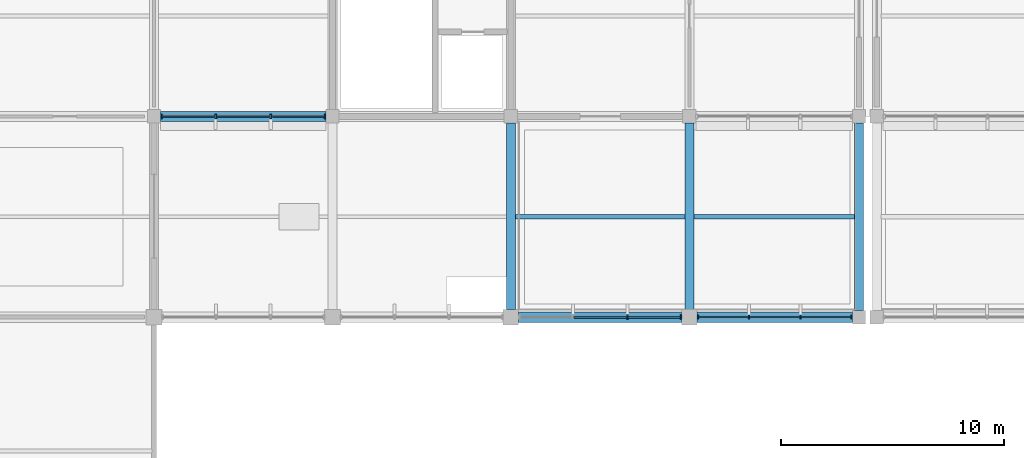
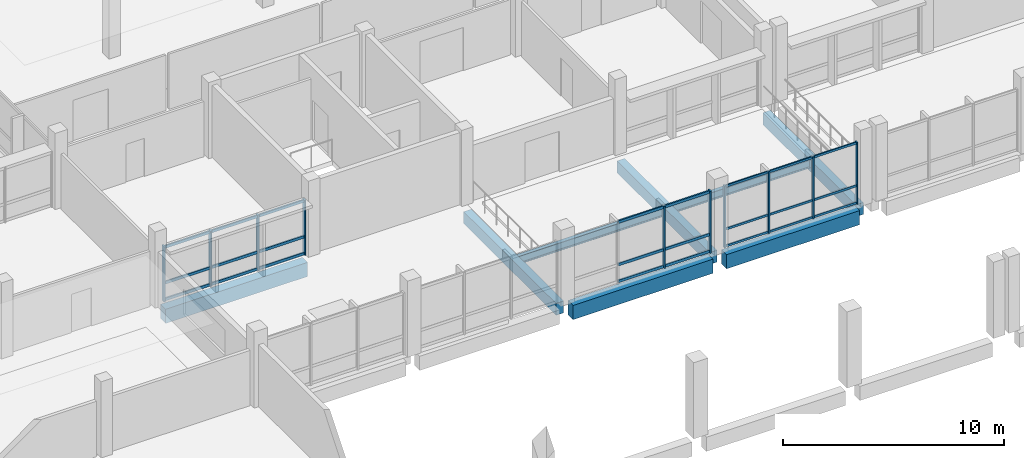
# One storey, part 20 of 70: 34 members, 8 beams, 3 elements without a shape of their own.
"""IFC4 building model written with IfcOpenShell, lengths in metres."""

from ifc_helpers import new_model, si_unit, direction, frame, origin, origin_2d, place, context, subcontext, project, spatial, rectangle, i_section, extrude, material, material_profile, profile_set, type_object, element, aggregate, save


model = new_model("IFC4")

# Units and contexts
model_context = context("Model", 3, precision=1e-05, world=origin(), true_north=direction((0.0, 1.0)))
body_context = subcontext(model_context, "Body", "Model", "MODEL_VIEW")
ifc_project = project(units=[si_unit("LENGTHUNIT", "METRE"), si_unit("AREAUNIT", "SQUARE_METRE"), si_unit("VOLUMEUNIT", "CUBIC_METRE"), si_unit("PLANEANGLEUNIT", "RADIAN"), si_unit("MASSUNIT", "GRAM", prefix="KILO"), si_unit("THERMODYNAMICTEMPERATUREUNIT", "KELVIN"), si_unit("POWERUNIT", "WATT")], contexts=[model_context])

# Site, building, storey
site_placement = place(None, origin())
site = spatial("IfcSite", under=ifc_project, at=site_placement, CompositionType="ELEMENT")
building_placement = place(site_placement, origin())
building = spatial("IfcBuilding", under=site, at=building_placement, Name="Kronsvod Quay Wholesale Market", CompositionType="ELEMENT")
storey_placement = place(building_placement, frame((0.0, 0.0, 9.0)))
storey = spatial("IfcBuildingStorey", under=building, at=storey_placement, Name="L02", CompositionType="ELEMENT", Elevation=9.0)

# Beams
ifc_material_1 = material(Name="Precast concrete C40/50", Category="concrete")
ifc_material_profile_1 = material_profile(ifc_material_1, rectangle(XDim=0.39990234375, YDim=0.64990234375, at=origin_2d()), Name="PCB400x650")
ifc_profile_set_1 = profile_set([ifc_material_profile_1], Name="Precast concrete C40/50")
beam_type_1 = type_object("IfcBeamType", Name="Beam_PCB400x650", PredefinedType="BEAM", material=ifc_profile_set_1)
for number, where, z_axis, x_axis, name in (
    (1, (48.0, 90.35009765625, -0.635009765625), (0.0, 1.0, 0.0), (-1.0, 0.0, 0.0), "BMY-L02-480-900"),
    (2, (56.0, 90.35009765625, -0.635009765625), (0.0, 1.0, 0.0), (-1.0, 0.0, 0.0), "BMY-L02-560-900"),
):
    element("IfcBeam", number, at=place(storey_placement, frame(where, z_axis=z_axis, x_axis=x_axis)), inside=storey, type_object=beam_type_1, Name=name, PredefinedType="BEAM", context=body_context, shape_type="SweptSolid", body=[
        extrude(rectangle(XDim=0.39990234375, YDim=0.64990234375, at=origin_2d()), origin(), (0.0, 0.0, 1.0), 8.349853515625),
    ])
beam_1_placement = place(storey_placement, frame((63.60009765625, 90.300048828125, -0.635009765625), z_axis=(0.0, 1.0, 0.0), x_axis=(-1.0, 0.0, 0.0)))
element("IfcBeam", 3, at=beam_1_placement, inside=storey, type_object=beam_type_1, Name="BMY-L02-636-900", PredefinedType="BEAM", context=body_context, shape_type="SweptSolid", body=[
    extrude(rectangle(XDim=0.39990234375, YDim=0.64990234375, at=origin_2d()), origin(), (0.0, 0.0, 1.0), 8.39990234375),
])
ifc_material_2 = material(Name="Precast concrete C40/50", Category="concrete")
ifc_material_profile_2 = material_profile(ifc_material_2, rectangle(XDim=0.4599609375, YDim=0.780029296875, at=origin_2d()), Name="PB-03")
ifc_profile_set_2 = profile_set([ifc_material_profile_2], Name="Precast concrete C40/50")
beam_type_2 = type_object("IfcBeamType", Name="Beam_PCB460x780", PredefinedType="BEAM", material=ifc_profile_set_2)
beam_2_placement = place(storey_placement, frame((48.35009765625, 90.0, -0.64990234375), z_axis=(1.0, 0.0, 0.0), x_axis=(0.0, 1.0, 0.0)))
element("IfcBeam", 4, at=beam_2_placement, inside=storey, type_object=beam_type_2, Name="BMX-L02-480-900", PredefinedType="BEAM", context=body_context, shape_type="SweptSolid", body=[
    extrude(rectangle(XDim=0.4599609375, YDim=0.780029296875, at=origin_2d()), origin(), (0.0, 0.0, 1.0), 7.2998046875),
])
beam_3_placement = place(storey_placement, frame((56.35009765625, 90.0, -0.64990234375), z_axis=(1.0, 0.0, 0.0), x_axis=(0.0, 1.0, 0.0)))
element("IfcBeam", 5, at=beam_3_placement, inside=storey, type_object=beam_type_2, Name="BMX-L02-560-900", PredefinedType="BEAM", context=body_context, shape_type="SweptSolid", body=[
    extrude(rectangle(XDim=0.4599609375, YDim=0.780029296875, at=origin_2d()), origin(), (0.0, 0.0, 1.0), 6.949951171875),
])
beam_4_placement = place(storey_placement, frame((32.300048828125, 99.0, -0.699951171875), z_axis=(1.0, 0.0, 0.0), x_axis=(0.0, 1.0, 0.0)))
element("IfcBeam", 6, at=beam_4_placement, inside=storey, type_object=beam_type_2, Name="BMX-L02-320-990", PredefinedType="BEAM", context=body_context, shape_type="SweptSolid", body=[
    extrude(rectangle(XDim=0.4599609375, YDim=0.780029296875, at=origin_2d()), origin(), (0.0, 0.0, 1.0), 7.39990234375),
])
ifc_material_3 = material(Name="Steel S355", Category="steel")
ifc_material_profile_3 = material_profile(ifc_material_3, i_section(OverallWidth=0.198974609375, OverallDepth=0.446044921875, WebThickness=0.008056640625, FlangeThickness=0.011962890625, FilletRadius=0.01806640625, at=origin_2d()), Name="45B1")
ifc_profile_set_3 = profile_set([ifc_material_profile_3], Name="Steel S355")
beam_type_3 = type_object("IfcBeamType", Name="Beam_Steel45B1", PredefinedType="BEAM", material=ifc_profile_set_3)
beam_5_placement = place(storey_placement, frame((48.195068359375, 94.5, -0.532958984375), z_axis=(1.0, 0.0, 0.0), x_axis=(0.0, 1.0, 0.0)))
element("IfcBeam", 7, at=beam_5_placement, inside=storey, type_object=beam_type_3, Name="JSTX-L02-480-900", PredefinedType="BEAM", context=body_context, shape_type="SweptSolid", body=[
    extrude(i_section(OverallWidth=0.198974609375, OverallDepth=0.446044921875, WebThickness=0.008056640625, FlangeThickness=0.011962890625, FilletRadius=0.01806640625, at=origin_2d()), origin(), (0.0, 0.0, 1.0), 7.60986328125),
])
beam_6_placement = place(storey_placement, frame((56.195068359375, 94.5, -0.532958984375), z_axis=(1.0, 0.0, 0.0), x_axis=(0.0, 1.0, 0.0)))
element("IfcBeam", 8, at=beam_6_placement, inside=storey, type_object=beam_type_3, Name="JSTX-L02-560-900", PredefinedType="BEAM", context=body_context, shape_type="SweptSolid", body=[
    extrude(i_section(OverallWidth=0.198974609375, OverallDepth=0.446044921875, WebThickness=0.008056640625, FlangeThickness=0.011962890625, FilletRadius=0.01806640625, at=origin_2d()), origin(), (0.0, 0.0, 1.0), 7.2099609375),
])

# Curtain wall, members
ifc_material_4 = material(Name="Thermally broken aluminium and triple low-E glazing", Category="aluminium")
curtain_wall_type_1 = type_object("IfcCurtainWallType", Name="CW_Clerestory80x32", PredefinedType="NOTDEFINED", material=ifc_material_4)
curtain_wall_1_placement = place(storey_placement, origin())
curtain_wall_1 = element("IfcCurtainWall", 9, at=curtain_wall_1_placement, inside=storey, type_object=curtain_wall_type_1, Name="CWGX-L02-560-900", PredefinedType="NOTDEFINED")
ifc_material_5 = material(Name="Anodised aluminium", Category="aluminium")
ifc_material_profile_4 = material_profile(ifc_material_5, rectangle(XDim=0.06494140625, YDim=0.159912109375, at=origin_2d()), Name="ALUM65x160")
ifc_profile_set_4 = profile_set([ifc_material_profile_4], Name="Anodised aluminium")
member_type_1 = type_object("IfcMemberType", Name="Mullion_ALU65x160", PredefinedType="MULLION", material=ifc_profile_set_4)
member_1_placement = place(storey_placement, frame((63.2724609375, 90.0, 0.0), z_axis=(0.0, 0.0, 1.0), x_axis=(1.0, 0.0, 0.0)))
member_1 = element("IfcMember", 10, at=member_1_placement, type_object=member_type_1, Name="CWGX-L02-560-900-M1", PredefinedType="MULLION", context=body_context, shape_type="SweptSolid", body=[
    extrude(rectangle(XDim=0.06494140625, YDim=0.159912109375, at=origin_2d()), origin(), (0.0, 0.0, 1.0), 3.419921875),
])
member_2_placement = place(storey_placement, frame((60.985107421875, 90.0, 0.0), z_axis=(0.0, 0.0, 1.0), x_axis=(1.0, 0.0, 0.0)))
member_2 = element("IfcMember", 11, at=member_2_placement, type_object=member_type_1, Name="CWGX-L02-560-900-M2", PredefinedType="MULLION", context=body_context, shape_type="SweptSolid", body=[
    extrude(rectangle(XDim=0.06494140625, YDim=0.159912109375, at=origin_2d()), origin(), (0.0, 0.0, 1.0), 3.419921875),
])
member_3_placement = place(storey_placement, frame((58.6650390625, 90.0, 0.0), z_axis=(0.0, 0.0, 1.0), x_axis=(1.0, 0.0, 0.0)))
member_3 = element("IfcMember", 12, at=member_3_placement, type_object=member_type_1, Name="CWGX-L02-560-900-M3", PredefinedType="MULLION", context=body_context, shape_type="SweptSolid", body=[
    extrude(rectangle(XDim=0.06494140625, YDim=0.159912109375, at=origin_2d()), origin(), (0.0, 0.0, 1.0), 3.419921875),
])
member_4_placement = place(storey_placement, frame((56.37744140625, 90.0, 0.0), z_axis=(0.0, 0.0, 1.0), x_axis=(1.0, 0.0, 0.0)))
member_4 = element("IfcMember", 13, at=member_4_placement, type_object=member_type_1, Name="CWGX-L02-560-900-M4", PredefinedType="MULLION", context=body_context, shape_type="SweptSolid", body=[
    extrude(rectangle(XDim=0.06494140625, YDim=0.159912109375, at=origin_2d()), origin(), (0.0, 0.0, 1.0), 3.419921875),
])

curtain_wall_2_placement = place(storey_placement, origin())
curtain_wall_2 = element("IfcCurtainWall", 14, at=curtain_wall_2_placement, inside=storey, type_object=curtain_wall_type_1, Name="CWGX-L02-480-900", PredefinedType="NOTDEFINED")
ifc_material_6 = material(Name="Anodised aluminium", Category="aluminium")
ifc_material_profile_5 = material_profile(ifc_material_6, rectangle(XDim=0.074951171875, YDim=0.199951171875, at=origin_2d()), Name="ALUM75x200")
ifc_profile_set_5 = profile_set([ifc_material_profile_5], Name="Anodised aluminium")
member_type_2 = type_object("IfcMemberType", Name="Mullion_ALU75x200", PredefinedType="MULLION", material=ifc_profile_set_5)
member_5_placement = place(storey_placement, frame((55.617431640625, 90.0, 0.0), z_axis=(0.0, 0.0, 1.0), x_axis=(1.0, 0.0, 0.0)))
member_5 = element("IfcMember", 15, at=member_5_placement, type_object=member_type_2, Name="CWGX-L02-480-900-M1", PredefinedType="MULLION", context=body_context, shape_type="SweptSolid", body=[
    extrude(rectangle(XDim=0.074951171875, YDim=0.199951171875, at=origin_2d()), origin(), (0.0, 0.0, 1.0), 3.419921875),
])
member_6_placement = place(storey_placement, frame((53.21826171875, 90.0, 0.0), z_axis=(0.0, 0.0, 1.0), x_axis=(1.0, 0.0, 0.0)))
member_6 = element("IfcMember", 16, at=member_6_placement, type_object=member_type_2, Name="CWGX-L02-480-900-M2", PredefinedType="MULLION", context=body_context, shape_type="SweptSolid", body=[
    extrude(rectangle(XDim=0.074951171875, YDim=0.199951171875, at=origin_2d()), origin(), (0.0, 0.0, 1.0), 3.419921875),
])

ifc_material_7 = material(Name="Thermally broken aluminium and triple low-E glazing", Category="aluminium")
curtain_wall_type_2 = type_object("IfcCurtainWallType", Name="CW_Harbour80x33", PredefinedType="NOTDEFINED", material=ifc_material_7)
curtain_wall_3_placement = place(storey_placement, origin())
curtain_wall_3 = element("IfcCurtainWall", 17, at=curtain_wall_3_placement, inside=storey, type_object=curtain_wall_type_2, Name="CWGX-L02-320-990", PredefinedType="NOTDEFINED")
member_7_placement = place(storey_placement, frame((32.33251953125, 99.0, 0.0), z_axis=(0.0, 0.0, 1.0), x_axis=(1.0, 0.0, 0.0)))
member_7 = element("IfcMember", 18, at=member_7_placement, type_object=member_type_2, Name="CWGX-L02-320-990-M1", PredefinedType="MULLION", context=body_context, shape_type="SweptSolid", body=[
    extrude(rectangle(XDim=0.074951171875, YDim=0.199951171875, at=origin_2d()), origin(), (0.0, 0.0, 1.0), 3.050048828125),
])
member_8_placement = place(storey_placement, frame((34.764892578125, 99.0, 0.0), z_axis=(0.0, 0.0, 1.0), x_axis=(1.0, 0.0, 0.0)))
member_8 = element("IfcMember", 19, at=member_8_placement, type_object=member_type_2, Name="CWGX-L02-320-990-M2", PredefinedType="MULLION", context=body_context, shape_type="SweptSolid", body=[
    extrude(rectangle(XDim=0.074951171875, YDim=0.199951171875, at=origin_2d()), origin(), (0.0, 0.0, 1.0), 3.050048828125),
])
member_9_placement = place(storey_placement, frame((37.235107421875, 99.0, 0.0), z_axis=(0.0, 0.0, 1.0), x_axis=(1.0, 0.0, 0.0)))
member_9 = element("IfcMember", 20, at=member_9_placement, type_object=member_type_2, Name="CWGX-L02-320-990-M3", PredefinedType="MULLION", context=body_context, shape_type="SweptSolid", body=[
    extrude(rectangle(XDim=0.074951171875, YDim=0.199951171875, at=origin_2d()), origin(), (0.0, 0.0, 1.0), 3.050048828125),
])
member_10_placement = place(storey_placement, frame((39.66748046875, 99.0, 0.0), z_axis=(0.0, 0.0, 1.0), x_axis=(1.0, 0.0, 0.0)))
member_10 = element("IfcMember", 21, at=member_10_placement, type_object=member_type_2, Name="CWGX-L02-320-990-M4", PredefinedType="MULLION", context=body_context, shape_type="SweptSolid", body=[
    extrude(rectangle(XDim=0.074951171875, YDim=0.199951171875, at=origin_2d()), origin(), (0.0, 0.0, 1.0), 3.050048828125),
])

# Member
ifc_material_8 = material(Name="Anodised aluminium", Category="aluminium")
ifc_material_profile_6 = material_profile(ifc_material_8, rectangle(XDim=0.06494140625, YDim=0.1201171875, at=origin_2d()), Name="ALUT65x120")
ifc_profile_set_6 = profile_set([ifc_material_profile_6], Name="Anodised aluminium")
member_type_3 = type_object("IfcMemberType", Name="Transom_ALU65x120", PredefinedType="USERDEFINED", material=ifc_profile_set_6)
member_11_placement = place(storey_placement, frame((63.239990234375, 90.0, 0.06005859375), z_axis=(-1.0, 0.0, 0.0), x_axis=(0.0, -1.0, 0.0)))
member_11 = element("IfcMember", 22, at=member_11_placement, type_object=member_type_3, Name="CWGX-L02-560-900-T1B1", ObjectType="TRANSOM", PredefinedType="USERDEFINED", context=body_context, shape_type="SweptSolid", body=[
    extrude(rectangle(XDim=0.06494140625, YDim=0.1201171875, at=origin_2d()), origin(), (0.0, 0.0, 1.0), 2.222412109375),
])

member_12_placement = place(storey_placement, frame((60.952392578125, 90.0, 0.06005859375), z_axis=(-1.0, 0.0, 0.0), x_axis=(0.0, -1.0, 0.0)))
member_12 = element("IfcMember", 23, at=member_12_placement, type_object=member_type_3, Name="CWGX-L02-560-900-T1B2", ObjectType="TRANSOM", PredefinedType="USERDEFINED", context=body_context, shape_type="SweptSolid", body=[
    extrude(rectangle(XDim=0.06494140625, YDim=0.1201171875, at=origin_2d()), origin(), (0.0, 0.0, 1.0), 2.2548828125),
])

member_13_placement = place(storey_placement, frame((58.632568359375, 90.0, 0.06005859375), z_axis=(-1.0, 0.0, 0.0), x_axis=(0.0, -1.0, 0.0)))
member_13 = element("IfcMember", 24, at=member_13_placement, type_object=member_type_3, Name="CWGX-L02-560-900-T1B3", ObjectType="TRANSOM", PredefinedType="USERDEFINED", context=body_context, shape_type="SweptSolid", body=[
    extrude(rectangle(XDim=0.06494140625, YDim=0.1201171875, at=origin_2d()), origin(), (0.0, 0.0, 1.0), 2.22265625),
])

member_14_placement = place(storey_placement, frame((63.239990234375, 90.0, 1.0), z_axis=(-1.0, 0.0, 0.0), x_axis=(0.0, -1.0, 0.0)))
member_14 = element("IfcMember", 25, at=member_14_placement, type_object=member_type_3, Name="CWGX-L02-560-900-T2B1", ObjectType="TRANSOM", PredefinedType="USERDEFINED", context=body_context, shape_type="SweptSolid", body=[
    extrude(rectangle(XDim=0.06494140625, YDim=0.1201171875, at=origin_2d()), origin(), (0.0, 0.0, 1.0), 2.222412109375),
])

member_15_placement = place(storey_placement, frame((60.952392578125, 90.0, 1.0), z_axis=(-1.0, 0.0, 0.0), x_axis=(0.0, -1.0, 0.0)))
member_15 = element("IfcMember", 26, at=member_15_placement, type_object=member_type_3, Name="CWGX-L02-560-900-T2B2", ObjectType="TRANSOM", PredefinedType="USERDEFINED", context=body_context, shape_type="SweptSolid", body=[
    extrude(rectangle(XDim=0.06494140625, YDim=0.1201171875, at=origin_2d()), origin(), (0.0, 0.0, 1.0), 2.2548828125),
])

member_16_placement = place(storey_placement, frame((58.632568359375, 90.0, 1.0), z_axis=(-1.0, 0.0, 0.0), x_axis=(0.0, -1.0, 0.0)))
member_16 = element("IfcMember", 27, at=member_16_placement, type_object=member_type_3, Name="CWGX-L02-560-900-T2B3", ObjectType="TRANSOM", PredefinedType="USERDEFINED", context=body_context, shape_type="SweptSolid", body=[
    extrude(rectangle(XDim=0.06494140625, YDim=0.1201171875, at=origin_2d()), origin(), (0.0, 0.0, 1.0), 2.22265625),
])

member_17_placement = place(storey_placement, frame((63.239990234375, 90.0, 3.360107421875), z_axis=(-1.0, 0.0, 0.0), x_axis=(0.0, -1.0, 0.0)))
member_17 = element("IfcMember", 28, at=member_17_placement, type_object=member_type_3, Name="CWGX-L02-560-900-T3B1", ObjectType="TRANSOM", PredefinedType="USERDEFINED", context=body_context, shape_type="SweptSolid", body=[
    extrude(rectangle(XDim=0.06494140625, YDim=0.1201171875, at=origin_2d()), origin(), (0.0, 0.0, 1.0), 2.222412109375),
])

member_18_placement = place(storey_placement, frame((60.952392578125, 90.0, 3.360107421875), z_axis=(-1.0, 0.0, 0.0), x_axis=(0.0, -1.0, 0.0)))
member_18 = element("IfcMember", 29, at=member_18_placement, type_object=member_type_3, Name="CWGX-L02-560-900-T3B2", ObjectType="TRANSOM", PredefinedType="USERDEFINED", context=body_context, shape_type="SweptSolid", body=[
    extrude(rectangle(XDim=0.06494140625, YDim=0.1201171875, at=origin_2d()), origin(), (0.0, 0.0, 1.0), 2.2548828125),
])

member_19_placement = place(storey_placement, frame((58.632568359375, 90.0, 3.360107421875), z_axis=(-1.0, 0.0, 0.0), x_axis=(0.0, -1.0, 0.0)))
member_19 = element("IfcMember", 30, at=member_19_placement, type_object=member_type_3, Name="CWGX-L02-560-900-T3B3", ObjectType="TRANSOM", PredefinedType="USERDEFINED", context=body_context, shape_type="SweptSolid", body=[
    extrude(rectangle(XDim=0.06494140625, YDim=0.1201171875, at=origin_2d()), origin(), (0.0, 0.0, 1.0), 2.22265625),
])

aggregate(curtain_wall_1, [member_1, member_2, member_3, member_4, member_11, member_12, member_13, member_14, member_15, member_16, member_17, member_18, member_19])

ifc_material_9 = material(Name="Anodised aluminium", Category="aluminium")
ifc_material_profile_7 = material_profile(ifc_material_9, rectangle(XDim=0.074951171875, YDim=0.14990234375, at=origin_2d()), Name="ALUT75x150")
ifc_profile_set_7 = profile_set([ifc_material_profile_7], Name="Anodised aluminium")
member_type_4 = type_object("IfcMemberType", Name="Transom_ALU75x150", PredefinedType="USERDEFINED", material=ifc_profile_set_7)
member_20_placement = place(storey_placement, frame((55.580078125, 90.0, 0.074951171875), z_axis=(-1.0, 0.0, 0.0), x_axis=(0.0, -1.0, 0.0)))
member_20 = element("IfcMember", 31, at=member_20_placement, type_object=member_type_4, Name="CWGX-L02-480-900-T1B1", ObjectType="TRANSOM", PredefinedType="USERDEFINED", context=body_context, shape_type="SweptSolid", body=[
    extrude(rectangle(XDim=0.074951171875, YDim=0.14990234375, at=origin_2d()), origin(), (0.0, 0.0, 1.0), 2.32421875),
])

member_21_placement = place(storey_placement, frame((53.180908203125, 90.0, 0.074951171875), z_axis=(-1.0, 0.0, 0.0), x_axis=(0.0, -1.0, 0.0)))
member_21 = element("IfcMember", 32, at=member_21_placement, type_object=member_type_4, Name="CWGX-L02-480-900-T1B2", ObjectType="TRANSOM", PredefinedType="USERDEFINED", context=body_context, shape_type="SweptSolid", body=[
    extrude(rectangle(XDim=0.074951171875, YDim=0.14990234375, at=origin_2d()), origin(), (0.0, 0.0, 1.0), 2.36181640625),
])

member_22_placement = place(storey_placement, frame((55.580078125, 90.0, 1.0), z_axis=(-1.0, 0.0, 0.0), x_axis=(0.0, -1.0, 0.0)))
member_22 = element("IfcMember", 33, at=member_22_placement, type_object=member_type_4, Name="CWGX-L02-480-900-T2B1", ObjectType="TRANSOM", PredefinedType="USERDEFINED", context=body_context, shape_type="SweptSolid", body=[
    extrude(rectangle(XDim=0.074951171875, YDim=0.14990234375, at=origin_2d()), origin(), (0.0, 0.0, 1.0), 2.32421875),
])

member_23_placement = place(storey_placement, frame((53.180908203125, 90.0, 1.0), z_axis=(-1.0, 0.0, 0.0), x_axis=(0.0, -1.0, 0.0)))
member_23 = element("IfcMember", 34, at=member_23_placement, type_object=member_type_4, Name="CWGX-L02-480-900-T2B2", ObjectType="TRANSOM", PredefinedType="USERDEFINED", context=body_context, shape_type="SweptSolid", body=[
    extrude(rectangle(XDim=0.074951171875, YDim=0.14990234375, at=origin_2d()), origin(), (0.0, 0.0, 1.0), 2.36181640625),
])

member_24_placement = place(storey_placement, frame((55.580078125, 90.0, 3.344970703125), z_axis=(-1.0, 0.0, 0.0), x_axis=(0.0, -1.0, 0.0)))
member_24 = element("IfcMember", 35, at=member_24_placement, type_object=member_type_4, Name="CWGX-L02-480-900-T3B1", ObjectType="TRANSOM", PredefinedType="USERDEFINED", context=body_context, shape_type="SweptSolid", body=[
    extrude(rectangle(XDim=0.074951171875, YDim=0.14990234375, at=origin_2d()), origin(), (0.0, 0.0, 1.0), 2.32421875),
])

member_25_placement = place(storey_placement, frame((53.180908203125, 90.0, 3.344970703125), z_axis=(-1.0, 0.0, 0.0), x_axis=(0.0, -1.0, 0.0)))
member_25 = element("IfcMember", 36, at=member_25_placement, type_object=member_type_4, Name="CWGX-L02-480-900-T3B2", ObjectType="TRANSOM", PredefinedType="USERDEFINED", context=body_context, shape_type="SweptSolid", body=[
    extrude(rectangle(XDim=0.074951171875, YDim=0.14990234375, at=origin_2d()), origin(), (0.0, 0.0, 1.0), 2.36181640625),
])

aggregate(curtain_wall_2, [member_5, member_6, member_20, member_21, member_22, member_23, member_24, member_25])

member_26_placement = place(storey_placement, frame((32.3701171875, 99.0, 0.074951171875), z_axis=(1.0, 0.0, 0.0), x_axis=(0.0, 1.0, 0.0)))
member_26 = element("IfcMember", 37, at=member_26_placement, type_object=member_type_4, Name="CWGX-L02-320-990-T1B1", ObjectType="TRANSOM", PredefinedType="USERDEFINED", context=body_context, shape_type="SweptSolid", body=[
    extrude(rectangle(XDim=0.074951171875, YDim=0.14990234375, at=origin_2d()), origin(), (0.0, 0.0, 1.0), 2.357421875),
])

member_27_placement = place(storey_placement, frame((34.802490234375, 99.0, 0.074951171875), z_axis=(1.0, 0.0, 0.0), x_axis=(0.0, 1.0, 0.0)))
member_27 = element("IfcMember", 38, at=member_27_placement, type_object=member_type_4, Name="CWGX-L02-320-990-T1B2", ObjectType="TRANSOM", PredefinedType="USERDEFINED", context=body_context, shape_type="SweptSolid", body=[
    extrude(rectangle(XDim=0.074951171875, YDim=0.14990234375, at=origin_2d()), origin(), (0.0, 0.0, 1.0), 2.39501953125),
])

member_28_placement = place(storey_placement, frame((37.2724609375, 99.0, 0.074951171875), z_axis=(1.0, 0.0, 0.0), x_axis=(0.0, 1.0, 0.0)))
member_28 = element("IfcMember", 39, at=member_28_placement, type_object=member_type_4, Name="CWGX-L02-320-990-T1B3", ObjectType="TRANSOM", PredefinedType="USERDEFINED", context=body_context, shape_type="SweptSolid", body=[
    extrude(rectangle(XDim=0.074951171875, YDim=0.14990234375, at=origin_2d()), origin(), (0.0, 0.0, 1.0), 2.357421875),
])

member_29_placement = place(storey_placement, frame((32.3701171875, 99.0, 1.0), z_axis=(1.0, 0.0, 0.0), x_axis=(0.0, 1.0, 0.0)))
member_29 = element("IfcMember", 40, at=member_29_placement, type_object=member_type_4, Name="CWGX-L02-320-990-T2B1", ObjectType="TRANSOM", PredefinedType="USERDEFINED", context=body_context, shape_type="SweptSolid", body=[
    extrude(rectangle(XDim=0.074951171875, YDim=0.14990234375, at=origin_2d()), origin(), (0.0, 0.0, 1.0), 2.357421875),
])

member_30_placement = place(storey_placement, frame((34.802490234375, 99.0, 1.0), z_axis=(1.0, 0.0, 0.0), x_axis=(0.0, 1.0, 0.0)))
member_30 = element("IfcMember", 41, at=member_30_placement, type_object=member_type_4, Name="CWGX-L02-320-990-T2B2", ObjectType="TRANSOM", PredefinedType="USERDEFINED", context=body_context, shape_type="SweptSolid", body=[
    extrude(rectangle(XDim=0.074951171875, YDim=0.14990234375, at=origin_2d()), origin(), (0.0, 0.0, 1.0), 2.39501953125),
])

member_31_placement = place(storey_placement, frame((37.2724609375, 99.0, 1.0), z_axis=(1.0, 0.0, 0.0), x_axis=(0.0, 1.0, 0.0)))
member_31 = element("IfcMember", 42, at=member_31_placement, type_object=member_type_4, Name="CWGX-L02-320-990-T2B3", ObjectType="TRANSOM", PredefinedType="USERDEFINED", context=body_context, shape_type="SweptSolid", body=[
    extrude(rectangle(XDim=0.074951171875, YDim=0.14990234375, at=origin_2d()), origin(), (0.0, 0.0, 1.0), 2.357421875),
])

member_32_placement = place(storey_placement, frame((32.3701171875, 99.0, 2.97509765625), z_axis=(1.0, 0.0, 0.0), x_axis=(0.0, 1.0, 0.0)))
member_32 = element("IfcMember", 43, at=member_32_placement, type_object=member_type_4, Name="CWGX-L02-320-990-T3B1", ObjectType="TRANSOM", PredefinedType="USERDEFINED", context=body_context, shape_type="SweptSolid", body=[
    extrude(rectangle(XDim=0.074951171875, YDim=0.14990234375, at=origin_2d()), origin(), (0.0, 0.0, 1.0), 2.357421875),
])

member_33_placement = place(storey_placement, frame((34.802490234375, 99.0, 2.97509765625), z_axis=(1.0, 0.0, 0.0), x_axis=(0.0, 1.0, 0.0)))
member_33 = element("IfcMember", 44, at=member_33_placement, type_object=member_type_4, Name="CWGX-L02-320-990-T3B2", ObjectType="TRANSOM", PredefinedType="USERDEFINED", context=body_context, shape_type="SweptSolid", body=[
    extrude(rectangle(XDim=0.074951171875, YDim=0.14990234375, at=origin_2d()), origin(), (0.0, 0.0, 1.0), 2.39501953125),
])

member_34_placement = place(storey_placement, frame((37.2724609375, 99.0, 2.97509765625), z_axis=(1.0, 0.0, 0.0), x_axis=(0.0, 1.0, 0.0)))
member_34 = element("IfcMember", 45, at=member_34_placement, type_object=member_type_4, Name="CWGX-L02-320-990-T3B3", ObjectType="TRANSOM", PredefinedType="USERDEFINED", context=body_context, shape_type="SweptSolid", body=[
    extrude(rectangle(XDim=0.074951171875, YDim=0.14990234375, at=origin_2d()), origin(), (0.0, 0.0, 1.0), 2.357421875),
])

aggregate(curtain_wall_3, [member_7, member_8, member_9, member_10, member_26, member_27, member_28, member_29, member_30, member_31, member_32, member_33, member_34])

save(model, "model.ifc")
